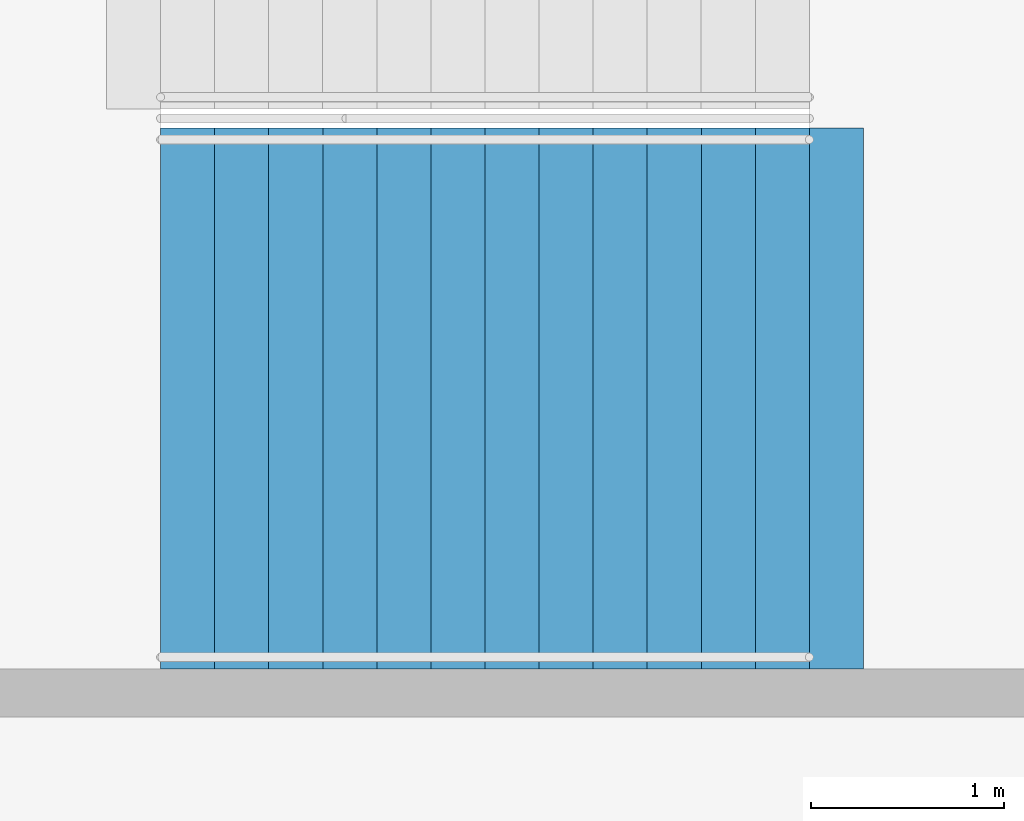
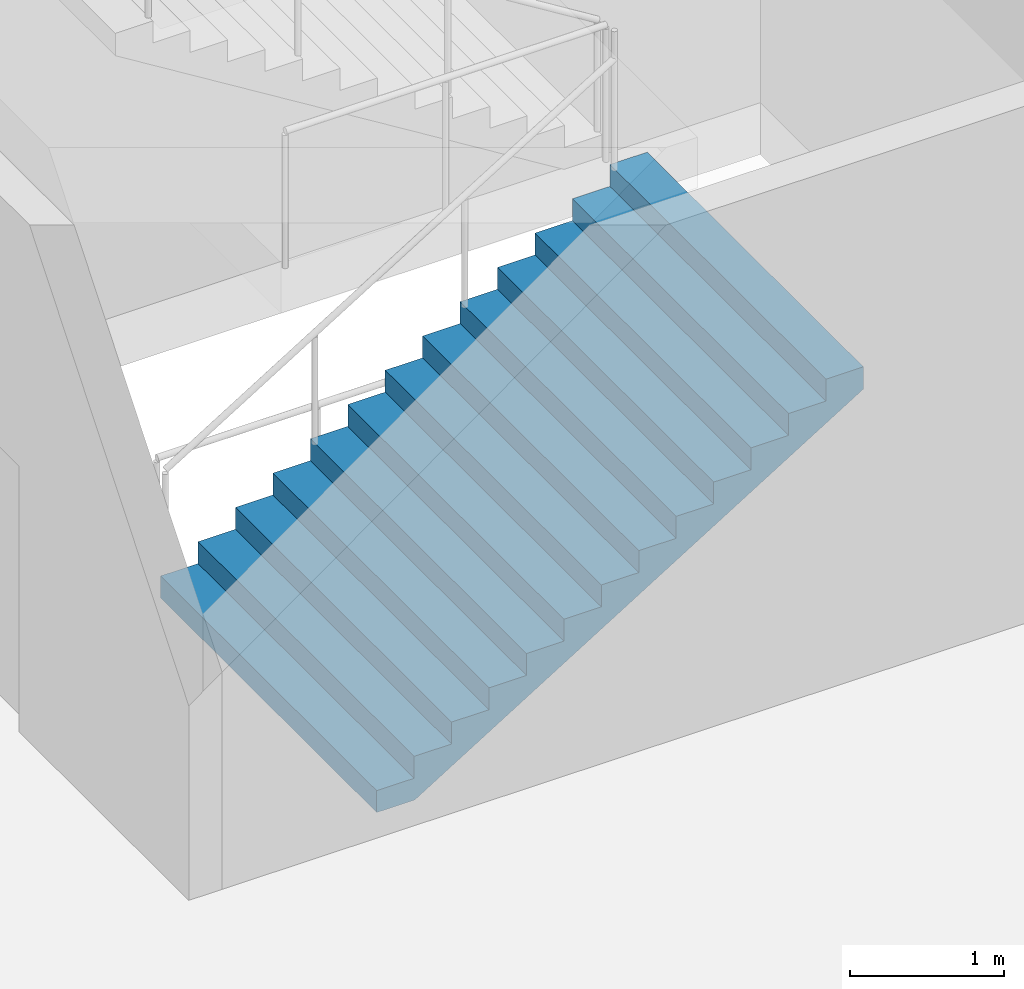
# One storey, part 138 of 199: 1 stair flight, 1 element without a shape of its own.
"""IFC4 building model written with IfcOpenShell, lengths in metres."""

import ifcopenshell
import ifcopenshell.guid

model = None  # the IFC model being written
_history = None  # IfcOwnerHistory: only IFC2X3 demands one
_inside = {}  # id of a spatial element -> (the spatial element, [elements in it])
_under = {}  # id of a project, library or spatial element -> (it, [spatial elements below it])
_declared = {}  # id of a project -> (the project, [libraries it declares])
_typed = {}  # id of a type object -> (the type object, [elements of that type])
_made_of = {}  # id of a material, layer set ... -> (it, [elements and type objects made of it])


def new_model(schema):
    """Start an empty IFC model of exactly this schema.

    Asked for "IFC4X3", IfcOpenShell would pick the latest addendum, in which some entities
    have other attributes; the version numbers below select the first issue.
    IFC2X3 requires an IfcOwnerHistory on every rooted entity: one is made here for all.
    """
    global model, _history
    if schema == "IFC4X3":
        model = ifcopenshell.file(schema_version=(4, 3, 0, 0))
    else:
        model = ifcopenshell.file(schema=schema)
    _inside.clear()
    _under.clear()
    _declared.clear()
    _typed.clear()
    _made_of.clear()
    _history = None
    if model.schema == "IFC2X3":
        org = make("IfcOrganization", Name="unknown")
        user = make(
            "IfcPersonAndOrganization",
            ThePerson=make("IfcPerson", FamilyName="unknown"),
            TheOrganization=org,
        )
        app = make(
            "IfcApplication",
            ApplicationDeveloper=org,
            Version="unknown",
            ApplicationFullName="unknown",
            ApplicationIdentifier="unknown",
        )
        _history = make(
            "IfcOwnerHistory",
            OwningUser=user,
            OwningApplication=app,
            ChangeAction="ADDED",
            CreationDate=0,
        )
    return model


def make(cls, **values):
    """One entity of the class cls with the attributes given. An attribute that is None is left unset."""
    return model.create_entity(
        cls, **{name: value for name, value in values.items() if value is not None}
    )


def rooted(cls, **values):
    """An entity with a GlobalId (a new one), such as an element, a storey or a relation."""
    return make(cls, GlobalId=ifcopenshell.guid.new(), OwnerHistory=_history, **values)


def si_unit(unit_type, name, prefix=None):
    """IfcSIUnit, for example si_unit("LENGTHUNIT", "METRE", prefix="MILLI")."""
    return make("IfcSIUnit", UnitType=unit_type, Prefix=prefix, Name=name)


def assignment(units):
    """IfcUnitAssignment: the units of a project."""
    return None if units is None else make("IfcUnitAssignment", Units=units)


def point(xyz):
    """IfcCartesianPoint."""
    return None if xyz is None else make("IfcCartesianPoint", Coordinates=xyz)


def direction(xyz):
    """IfcDirection."""
    return None if xyz is None else make("IfcDirection", DirectionRatios=xyz)


def frame(location, z_axis=None, x_axis=None):
    """IfcAxis2Placement3D, a coordinate frame: its origin and axes. An axis left out is left unset."""
    return make(
        "IfcAxis2Placement3D",
        Location=point(location),
        Axis=direction(z_axis),
        RefDirection=direction(x_axis),
    )


def origin():
    """The frame at (0, 0, 0) with its axes left unset."""
    return frame((0.0, 0.0, 0.0))


def place(relative_to, where):
    """IfcLocalPlacement: puts the frame where relative to a parent placement (None: the world)."""
    return make(
        "IfcLocalPlacement", PlacementRelTo=relative_to, RelativePlacement=where
    )


def context(
    kind, dimensions, precision=None, world=None, true_north=None, identifier=None
):
    """IfcGeometricRepresentationContext, for example the 3D "Model" context."""
    return make(
        "IfcGeometricRepresentationContext",
        ContextIdentifier=identifier,
        ContextType=kind,
        CoordinateSpaceDimension=dimensions,
        Precision=precision,
        WorldCoordinateSystem=world,
        TrueNorth=true_north,
    )


def subcontext(parent, identifier, kind, view, scale=None):
    """IfcGeometricRepresentationSubContext, for example "Body" below "Model"."""
    return make(
        "IfcGeometricRepresentationSubContext",
        ContextIdentifier=identifier,
        ContextType=kind,
        ParentContext=parent,
        TargetScale=scale,
        TargetView=view,
    )


def project(units=None, contexts=None):
    """IfcProject with its units and contexts."""
    return rooted(
        "IfcProject",
        Name="project",
        RepresentationContexts=contexts,
        UnitsInContext=assignment(units),
    )


def spatial(cls, under=None, at=None, **own):
    """A site, building, storey or space (cls), placed at a placement, below another one or the project."""
    s = rooted(cls, ObjectPlacement=at, **own)
    if under is not None:
        _under.setdefault(under.id(), (under, []))[1].append(s)
    return s


def faces_of(points, faces, orient=None, outer=None):
    """IfcFace entities. A face is a list of loops; a loop is a list of indices into points, from 0.

    orient and outer hold one flag for each loop. By default every Orientation is true, the
    first loop of a face is its IfcFaceOuterBound and the others are IfcFaceBound.
    """
    made = []
    for i, loops in enumerate(faces):
        bounds = []
        for j, loop in enumerate(loops):
            is_outer = j == 0 if outer is None else outer[i][j]
            bounds.append(
                make(
                    "IfcFaceOuterBound" if is_outer else "IfcFaceBound",
                    Bound=make("IfcPolyLoop", Polygon=[points[k] for k in loop]),
                    Orientation=True if orient is None else orient[i][j],
                )
            )
        made.append(make("IfcFace", Bounds=bounds))
    return made


def faceted_brep(points, faces, orient=None, outer=None, voids=None):
    """IfcFacetedBrep: a solid bounded by flat faces; with voids (closed shells), ...WithVoids."""
    shared = [point(p) for p in points]
    hull = make("IfcClosedShell", CfsFaces=faces_of(shared, faces, orient, outer))
    if voids is None:
        return make("IfcFacetedBrep", Outer=hull)
    return make(
        "IfcFacetedBrepWithVoids",
        Outer=hull,
        Voids=[
            make(cls, CfsFaces=faces_of(shared, fs, o, b)) for cls, fs, o, b in voids
        ],
    )


def shape(context_of_items, identifier, shape_type, items):
    """IfcShapeRepresentation: the items that make up one representation, for example the "Body"."""
    return make(
        "IfcShapeRepresentation",
        ContextOfItems=context_of_items,
        RepresentationIdentifier=identifier,
        RepresentationType=shape_type,
        Items=items,
    )


def material(Name=None, Category=None):
    """IfcMaterial."""
    return make("IfcMaterial", Name=Name, Category=Category)


def made_of(thing, what):
    """Note that an element or type object is made of a material, layer set ...; save() writes the relation."""
    if what is not None:
        _made_of.setdefault(what.id(), (what, []))[1].append(thing)
    return thing


def type_object(cls, material=None, **own):
    """A type object (cls), such as IfcWallType, which elements share."""
    return made_of(rooted(cls, **own), material)


def element(
    cls,
    number,
    at=None,
    inside=None,
    cuts=None,
    type_object=None,
    material=None,
    context=None,
    identifier="Body",
    shape_type=None,
    held_by="IfcProductDefinitionShape",
    body=None,
    shapes=None,
    **own,
):
    """One element of the class cls, such as IfcWall. Its Tag is "e" and its number.

    at: its placement. inside: the storey or other place that contains it. cuts: it is an
    opening in that element (IfcRelVoidsElement). A single representation is given by context,
    identifier, shape_type and body (its items); several are given by shapes. held_by: the class
    of the entity that holds the representations. save() writes the other relations.
    """
    e = rooted(cls, Tag="e%d" % number, ObjectPlacement=at, **own)
    if body is not None:
        shapes = [shape(context, identifier, shape_type, body)]
    if shapes is not None:
        e.Representation = make(held_by, Representations=shapes)
    if inside is not None:
        _inside.setdefault(inside.id(), (inside, []))[1].append(e)
    if cuts is not None:
        rooted(
            "IfcRelVoidsElement", RelatingBuildingElement=cuts, RelatedOpeningElement=e
        )
    if type_object is not None:
        _typed.setdefault(type_object.id(), (type_object, []))[1].append(e)
    return made_of(e, material)


def aggregate(whole, parts):
    """IfcRelAggregates: a whole, such as a stair, and the parts it consists of."""
    return rooted("IfcRelAggregates", RelatingObject=whole, RelatedObjects=parts)


def save(model, path):
    """Write the relations noted so far, then the file.

    IfcRelAggregates (storeys below a building ...), IfcRelContainedInSpatialStructure (elements
    in a storey), IfcRelDefinesByType, IfcRelAssociatesMaterial and IfcRelDeclares: one each for
    every whole, place, type object, material and project.
    """
    for whole, parts in _under.values():
        aggregate(whole, parts)
    for where, things in _inside.values():
        rooted(
            "IfcRelContainedInSpatialStructure",
            RelatedElements=things,
            RelatingStructure=where,
        )
    for kind, things in _typed.values():
        rooted("IfcRelDefinesByType", RelatedObjects=things, RelatingType=kind)
    for what, things in _made_of.values():
        rooted("IfcRelAssociatesMaterial", RelatedObjects=things, RelatingMaterial=what)
    for by, libraries in _declared.values():
        rooted("IfcRelDeclares", RelatingContext=by, RelatedDefinitions=libraries)
    model.write(path)


model = new_model("IFC4")

# Units and contexts
model_context = context("Model", 3, precision=1e-05, world=origin(), true_north=direction((0.0, 1.0)))
body_context = subcontext(model_context, "Body", "Model", "MODEL_VIEW")
ifc_project = project(units=[si_unit("LENGTHUNIT", "METRE"), si_unit("AREAUNIT", "SQUARE_METRE"), si_unit("VOLUMEUNIT", "CUBIC_METRE"), si_unit("PLANEANGLEUNIT", "RADIAN"), si_unit("MASSUNIT", "GRAM", prefix="KILO")], contexts=[model_context])

# Site, building, storey
site_placement = place(None, origin())
site = spatial("IfcSite", under=ifc_project, at=site_placement, CompositionType="ELEMENT")
building_placement = place(site_placement, origin())
building = spatial("IfcBuilding", under=site, at=building_placement, Name="Ogive Plaza Stadium", CompositionType="ELEMENT")
storey_placement = place(building_placement, frame((0.0, 0.0, 9.0)))
storey = spatial("IfcBuildingStorey", under=building, at=storey_placement, Name="L02", CompositionType="ELEMENT", Elevation=9.0)

# Stair, stair flight
ifc_material_1 = material(Name="Concrete C40/50", Category="concrete")
stair_type = type_object("IfcStairType", Name="Exit stair", PredefinedType="STRAIGHT_RUN_STAIR", material=ifc_material_1)
stair_placement = place(storey_placement, origin())
stair = element("IfcStair", 1, at=stair_placement, inside=storey, type_object=stair_type, Name="Exit stair ST08A L02 to L03", PredefinedType="STRAIGHT_RUN_STAIR")
ifc_material_2 = material(Name="Concrete C40/50", Category="concrete")
stair_flight_type = type_object("IfcStairFlightType", Name="Exit stair flight", PredefinedType="STRAIGHT", material=ifc_material_2)
stair_flight_placement = place(storey_placement, frame((76.35009765625, -56.925048828125, 0.0), z_axis=(0.0, 0.0, 1.0), x_axis=(1.0, 0.0, 0.0)))
stair_flight = element("IfcStairFlight", 2, at=stair_flight_placement, type_object=stair_flight_type, Name="ST08A flight 1", NumberOfRisers=13, NumberOfTreads=12, PredefinedType="STRAIGHT", RiserHeight=0.173076923, TreadLength=0.28, context=body_context, shape_type="Brep", body=[
    faceted_brep([(0.28515625, -1.39990234375, 0.0), (3.639892578125, -1.39990234375, 2.07373046875), (3.639892578125, -1.39990234375, 2.25), (3.360107421875, -1.39990234375, 2.25), (3.360107421875, -1.39990234375, 2.076904296875), (3.080078125, -1.39990234375, 2.076904296875), (3.080078125, -1.39990234375, 1.90380859375), (2.800048828125, -1.39990234375, 1.90380859375), (2.800048828125, -1.39990234375, 1.730712890625), (2.52001953125, -1.39990234375, 1.730712890625), (2.52001953125, -1.39990234375, 1.5576171875), (2.239990234375, -1.39990234375, 1.5576171875), (2.239990234375, -1.39990234375, 1.384521484375), (1.9599609375, -1.39990234375, 1.384521484375), (1.9599609375, -1.39990234375, 1.21142578125), (1.679931640625, -1.39990234375, 1.21142578125), (1.679931640625, -1.39990234375, 1.03857421875), (1.39990234375, -1.39990234375, 1.03857421875), (1.39990234375, -1.39990234375, 0.865478515625), (1.1201171875, -1.39990234375, 0.865478515625), (1.1201171875, -1.39990234375, 0.6923828125), (0.840087890625, -1.39990234375, 0.6923828125), (0.840087890625, -1.39990234375, 0.519287109375), (0.56005859375, -1.39990234375, 0.519287109375), (0.56005859375, -1.39990234375, 0.34619140625), (0.280029296875, -1.39990234375, 0.34619140625), (0.280029296875, -1.39990234375, 0.173095703125), (0.0, -1.39990234375, 0.173095703125), (0.0, -1.39990234375, 0.0), (0.0, 1.39990234375, 0.0), (0.0, 1.39990234375, 0.173095703125), (0.280029296875, 1.39990234375, 0.173095703125), (0.280029296875, 1.39990234375, 0.34619140625), (0.56005859375, 1.39990234375, 0.34619140625), (0.56005859375, 1.39990234375, 0.519287109375), (0.840087890625, 1.39990234375, 0.519287109375), (0.840087890625, 1.39990234375, 0.6923828125), (1.1201171875, 1.39990234375, 0.6923828125), (1.1201171875, 1.39990234375, 0.865478515625), (1.39990234375, 1.39990234375, 0.865478515625), (1.39990234375, 1.39990234375, 1.03857421875), (1.679931640625, 1.39990234375, 1.03857421875), (1.679931640625, 1.39990234375, 1.21142578125), (1.9599609375, 1.39990234375, 1.21142578125), (1.9599609375, 1.39990234375, 1.384521484375), (2.239990234375, 1.39990234375, 1.384521484375), (2.239990234375, 1.39990234375, 1.5576171875), (2.52001953125, 1.39990234375, 1.5576171875), (2.52001953125, 1.39990234375, 1.730712890625), (2.800048828125, 1.39990234375, 1.730712890625), (2.800048828125, 1.39990234375, 1.90380859375), (3.080078125, 1.39990234375, 1.90380859375), (3.080078125, 1.39990234375, 2.076904296875), (3.360107421875, 1.39990234375, 2.076904296875), (3.360107421875, 1.39990234375, 2.25), (3.639892578125, 1.39990234375, 2.25), (3.639892578125, 1.39990234375, 2.07373046875), (0.28515625, 1.39990234375, 0.0), (0.28515625, -1.0888671875, 0.0), (3.639892578125, -1.0888671875, 2.07373046875), (0.28515625, -0.77783203125, 0.0), (3.639892578125, -0.77783203125, 2.07373046875), (0.28515625, -0.466796875, 0.0), (3.639892578125, -0.466796875, 2.07373046875), (0.28515625, -0.155517578125, 0.0), (3.639892578125, -0.155517578125, 2.07373046875), (0.28515625, 0.155517578125, 0.0), (3.639892578125, 0.155517578125, 2.07373046875), (0.28515625, 0.466796875, 0.0), (3.639892578125, 0.466796875, 2.07373046875), (0.28515625, 0.77783203125, 0.0), (3.639892578125, 0.77783203125, 2.07373046875), (0.28515625, 1.0888671875, 0.0), (3.639892578125, 1.0888671875, 2.07373046875), (3.639892578125, -1.0888671875, 2.25), (3.639892578125, -0.77783203125, 2.25), (3.639892578125, -0.466796875, 2.25), (3.639892578125, -0.155517578125, 2.25), (3.639892578125, 0.155517578125, 2.25), (3.639892578125, 0.466796875, 2.25), (3.639892578125, 0.77783203125, 2.25), (3.639892578125, 1.0888671875, 2.25), (3.360107421875, -1.0888671875, 2.25), (3.360107421875, -0.77783203125, 2.25), (3.360107421875, -0.466796875, 2.25), (3.360107421875, -0.155517578125, 2.25), (3.360107421875, 0.155517578125, 2.25), (3.360107421875, 0.466796875, 2.25), (3.360107421875, 0.77783203125, 2.25), (3.360107421875, 1.0888671875, 2.25), (3.360107421875, -1.0888671875, 2.076904296875), (3.360107421875, -0.77783203125, 2.076904296875), (3.360107421875, -0.466796875, 2.076904296875), (3.360107421875, -0.155517578125, 2.076904296875), (3.360107421875, 0.155517578125, 2.076904296875), (3.360107421875, 0.466796875, 2.076904296875), (3.360107421875, 0.77783203125, 2.076904296875), (3.360107421875, 1.0888671875, 2.076904296875), (3.080078125, -1.0888671875, 2.076904296875), (3.080078125, -0.77783203125, 2.076904296875), (3.080078125, -0.466796875, 2.076904296875), (3.080078125, -0.155517578125, 2.076904296875), (3.080078125, 0.155517578125, 2.076904296875), (3.080078125, 0.466796875, 2.076904296875), (3.080078125, 0.77783203125, 2.076904296875), (3.080078125, 1.0888671875, 2.076904296875), (3.080078125, -1.0888671875, 1.90380859375), (3.080078125, -0.77783203125, 1.90380859375), (3.080078125, -0.466796875, 1.90380859375), (3.080078125, -0.155517578125, 1.90380859375), (3.080078125, 0.155517578125, 1.90380859375), (3.080078125, 0.466796875, 1.90380859375), (3.080078125, 0.77783203125, 1.90380859375), (3.080078125, 1.0888671875, 1.90380859375), (2.800048828125, -1.0888671875, 1.90380859375), (2.800048828125, -0.77783203125, 1.90380859375), (2.800048828125, -0.466796875, 1.90380859375), (2.800048828125, -0.155517578125, 1.90380859375), (2.800048828125, 0.155517578125, 1.90380859375), (2.800048828125, 0.466796875, 1.90380859375), (2.800048828125, 0.77783203125, 1.90380859375), (2.800048828125, 1.0888671875, 1.90380859375), (2.800048828125, -1.0888671875, 1.730712890625), (2.800048828125, -0.77783203125, 1.730712890625), (2.800048828125, -0.466796875, 1.730712890625), (2.800048828125, -0.155517578125, 1.730712890625), (2.800048828125, 0.155517578125, 1.730712890625), (2.800048828125, 0.466796875, 1.730712890625), (2.800048828125, 0.77783203125, 1.730712890625), (2.800048828125, 1.0888671875, 1.730712890625), (2.52001953125, -1.0888671875, 1.730712890625), (2.52001953125, -0.77783203125, 1.730712890625), (2.52001953125, -0.466796875, 1.730712890625), (2.52001953125, -0.155517578125, 1.730712890625), (2.52001953125, 0.155517578125, 1.730712890625), (2.52001953125, 0.466796875, 1.730712890625), (2.52001953125, 0.77783203125, 1.730712890625), (2.52001953125, 1.0888671875, 1.730712890625), (2.52001953125, -1.0888671875, 1.5576171875), (2.52001953125, -0.77783203125, 1.5576171875), (2.52001953125, -0.466796875, 1.5576171875), (2.52001953125, -0.155517578125, 1.5576171875), (2.52001953125, 0.155517578125, 1.5576171875), (2.52001953125, 0.466796875, 1.5576171875), (2.52001953125, 0.77783203125, 1.5576171875), (2.52001953125, 1.0888671875, 1.5576171875), (2.239990234375, -1.0888671875, 1.5576171875), (2.239990234375, -0.77783203125, 1.5576171875), (2.239990234375, -0.466796875, 1.5576171875), (2.239990234375, -0.155517578125, 1.5576171875), (2.239990234375, 0.155517578125, 1.5576171875), (2.239990234375, 0.466796875, 1.5576171875), (2.239990234375, 0.77783203125, 1.5576171875), (2.239990234375, 1.0888671875, 1.5576171875), (2.239990234375, -1.0888671875, 1.384521484375), (2.239990234375, -0.77783203125, 1.384521484375), (2.239990234375, -0.466796875, 1.384521484375), (2.239990234375, -0.155517578125, 1.384521484375), (2.239990234375, 0.155517578125, 1.384521484375), (2.239990234375, 0.466796875, 1.384521484375), (2.239990234375, 0.77783203125, 1.384521484375), (2.239990234375, 1.0888671875, 1.384521484375), (1.9599609375, -1.0888671875, 1.384521484375), (1.9599609375, -0.77783203125, 1.384521484375), (1.9599609375, -0.466796875, 1.384521484375), (1.9599609375, -0.155517578125, 1.384521484375), (1.9599609375, 0.155517578125, 1.384521484375), (1.9599609375, 0.466796875, 1.384521484375), (1.9599609375, 0.77783203125, 1.384521484375), (1.9599609375, 1.0888671875, 1.384521484375), (1.9599609375, -1.0888671875, 1.21142578125), (1.9599609375, -0.77783203125, 1.21142578125), (1.9599609375, -0.466796875, 1.21142578125), (1.9599609375, -0.155517578125, 1.21142578125), (1.9599609375, 0.155517578125, 1.21142578125), (1.9599609375, 0.466796875, 1.21142578125), (1.9599609375, 0.77783203125, 1.21142578125), (1.9599609375, 1.0888671875, 1.21142578125), (1.679931640625, -1.0888671875, 1.21142578125), (1.679931640625, -0.77783203125, 1.21142578125), (1.679931640625, -0.466796875, 1.21142578125), (1.679931640625, -0.155517578125, 1.21142578125), (1.679931640625, 0.155517578125, 1.21142578125), (1.679931640625, 0.466796875, 1.21142578125), (1.679931640625, 0.77783203125, 1.21142578125), (1.679931640625, 1.0888671875, 1.21142578125), (1.679931640625, -1.0888671875, 1.03857421875), (1.679931640625, -0.77783203125, 1.03857421875), (1.679931640625, -0.466796875, 1.03857421875), (1.679931640625, -0.155517578125, 1.03857421875), (1.679931640625, 0.155517578125, 1.03857421875), (1.679931640625, 0.466796875, 1.03857421875), (1.679931640625, 0.77783203125, 1.03857421875), (1.679931640625, 1.0888671875, 1.03857421875), (1.39990234375, -1.0888671875, 1.03857421875), (1.39990234375, -0.77783203125, 1.03857421875), (1.39990234375, -0.466796875, 1.03857421875), (1.39990234375, -0.155517578125, 1.03857421875), (1.39990234375, 0.155517578125, 1.03857421875), (1.39990234375, 0.466796875, 1.03857421875), (1.39990234375, 0.77783203125, 1.03857421875), (1.39990234375, 1.0888671875, 1.03857421875), (1.39990234375, -1.0888671875, 0.865478515625), (1.39990234375, -0.77783203125, 0.865478515625), (1.39990234375, -0.466796875, 0.865478515625), (1.39990234375, -0.155517578125, 0.865478515625), (1.39990234375, 0.155517578125, 0.865478515625), (1.39990234375, 0.466796875, 0.865478515625), (1.39990234375, 0.77783203125, 0.865478515625), (1.39990234375, 1.0888671875, 0.865478515625), (1.1201171875, -1.0888671875, 0.865478515625), (1.1201171875, -0.77783203125, 0.865478515625), (1.1201171875, -0.466796875, 0.865478515625), (1.1201171875, -0.155517578125, 0.865478515625), (1.1201171875, 0.155517578125, 0.865478515625), (1.1201171875, 0.466796875, 0.865478515625), (1.1201171875, 0.77783203125, 0.865478515625), (1.1201171875, 1.0888671875, 0.865478515625), (1.1201171875, -1.0888671875, 0.6923828125), (1.1201171875, -0.77783203125, 0.6923828125), (1.1201171875, -0.466796875, 0.6923828125), (1.1201171875, -0.155517578125, 0.6923828125), (1.1201171875, 0.155517578125, 0.6923828125), (1.1201171875, 0.466796875, 0.6923828125), (1.1201171875, 0.77783203125, 0.6923828125), (1.1201171875, 1.0888671875, 0.6923828125), (0.840087890625, -1.0888671875, 0.6923828125), (0.840087890625, -0.77783203125, 0.6923828125), (0.840087890625, -0.466796875, 0.6923828125), (0.840087890625, -0.155517578125, 0.6923828125), (0.840087890625, 0.155517578125, 0.6923828125), (0.840087890625, 0.466796875, 0.6923828125), (0.840087890625, 0.77783203125, 0.6923828125), (0.840087890625, 1.0888671875, 0.6923828125), (0.840087890625, -1.0888671875, 0.519287109375), (0.840087890625, -0.77783203125, 0.519287109375), (0.840087890625, -0.466796875, 0.519287109375), (0.840087890625, -0.155517578125, 0.519287109375), (0.840087890625, 0.155517578125, 0.519287109375), (0.840087890625, 0.466796875, 0.519287109375), (0.840087890625, 0.77783203125, 0.519287109375), (0.840087890625, 1.0888671875, 0.519287109375), (0.56005859375, -1.0888671875, 0.519287109375), (0.56005859375, -0.77783203125, 0.519287109375), (0.56005859375, -0.466796875, 0.519287109375), (0.56005859375, -0.155517578125, 0.519287109375), (0.56005859375, 0.155517578125, 0.519287109375), (0.56005859375, 0.466796875, 0.519287109375), (0.56005859375, 0.77783203125, 0.519287109375), (0.56005859375, 1.0888671875, 0.519287109375), (0.56005859375, -1.0888671875, 0.34619140625), (0.56005859375, -0.77783203125, 0.34619140625), (0.56005859375, -0.466796875, 0.34619140625), (0.56005859375, -0.155517578125, 0.34619140625), (0.56005859375, 0.155517578125, 0.34619140625), (0.56005859375, 0.466796875, 0.34619140625), (0.56005859375, 0.77783203125, 0.34619140625), (0.56005859375, 1.0888671875, 0.34619140625), (0.280029296875, -1.0888671875, 0.34619140625), (0.280029296875, -0.77783203125, 0.34619140625), (0.280029296875, -0.466796875, 0.34619140625), (0.280029296875, -0.155517578125, 0.34619140625), (0.280029296875, 0.155517578125, 0.34619140625), (0.280029296875, 0.466796875, 0.34619140625), (0.280029296875, 0.77783203125, 0.34619140625), (0.280029296875, 1.0888671875, 0.34619140625), (0.280029296875, -1.0888671875, 0.173095703125), (0.280029296875, -0.77783203125, 0.173095703125), (0.280029296875, -0.466796875, 0.173095703125), (0.280029296875, -0.155517578125, 0.173095703125), (0.280029296875, 0.155517578125, 0.173095703125), (0.280029296875, 0.466796875, 0.173095703125), (0.280029296875, 0.77783203125, 0.173095703125), (0.280029296875, 1.0888671875, 0.173095703125), (0.0, -1.0888671875, 0.173095703125), (0.0, -0.77783203125, 0.173095703125), (0.0, -0.466796875, 0.173095703125), (0.0, -0.155517578125, 0.173095703125), (0.0, 0.155517578125, 0.173095703125), (0.0, 0.466796875, 0.173095703125), (0.0, 0.77783203125, 0.173095703125), (0.0, 1.0888671875, 0.173095703125), (0.0, -1.0888671875, 0.0), (0.0, -0.77783203125, 0.0), (0.0, -0.466796875, 0.0), (0.0, -0.155517578125, 0.0), (0.0, 0.155517578125, 0.0), (0.0, 0.466796875, 0.0), (0.0, 0.77783203125, 0.0), (0.0, 1.0888671875, 0.0)], [[[0, 1, 2, 3, 4, 5, 6, 7, 8, 9, 10, 11, 12, 13, 14, 15, 16, 17, 18, 19, 20, 21, 22, 23, 24, 25, 26, 27, 28]], [[29, 30, 31, 32, 33, 34, 35, 36, 37, 38, 39, 40, 41, 42, 43, 44, 45, 46, 47, 48, 49, 50, 51, 52, 53, 54, 55, 56, 57]], [[0, 58, 59, 1]], [[58, 60, 61, 59]], [[60, 62, 63, 61]], [[62, 64, 65, 63]], [[64, 66, 67, 65]], [[66, 68, 69, 67]], [[68, 70, 71, 69]], [[70, 72, 73, 71]], [[72, 57, 56, 73]], [[1, 59, 74, 2]], [[59, 61, 75, 74]], [[61, 63, 76, 75]], [[63, 65, 77, 76]], [[65, 67, 78, 77]], [[67, 69, 79, 78]], [[69, 71, 80, 79]], [[71, 73, 81, 80]], [[73, 56, 55, 81]], [[2, 74, 82, 3]], [[74, 75, 83, 82]], [[75, 76, 84, 83]], [[76, 77, 85, 84]], [[77, 78, 86, 85]], [[78, 79, 87, 86]], [[79, 80, 88, 87]], [[80, 81, 89, 88]], [[81, 55, 54, 89]], [[3, 82, 90, 4]], [[82, 83, 91, 90]], [[83, 84, 92, 91]], [[84, 85, 93, 92]], [[85, 86, 94, 93]], [[86, 87, 95, 94]], [[87, 88, 96, 95]], [[88, 89, 97, 96]], [[89, 54, 53, 97]], [[4, 90, 98, 5]], [[90, 91, 99, 98]], [[91, 92, 100, 99]], [[92, 93, 101, 100]], [[93, 94, 102, 101]], [[94, 95, 103, 102]], [[95, 96, 104, 103]], [[96, 97, 105, 104]], [[97, 53, 52, 105]], [[5, 98, 106, 6]], [[98, 99, 107, 106]], [[99, 100, 108, 107]], [[100, 101, 109, 108]], [[101, 102, 110, 109]], [[102, 103, 111, 110]], [[103, 104, 112, 111]], [[104, 105, 113, 112]], [[105, 52, 51, 113]], [[6, 106, 114, 7]], [[106, 107, 115, 114]], [[107, 108, 116, 115]], [[108, 109, 117, 116]], [[109, 110, 118, 117]], [[110, 111, 119, 118]], [[111, 112, 120, 119]], [[112, 113, 121, 120]], [[113, 51, 50, 121]], [[7, 114, 122, 8]], [[114, 115, 123, 122]], [[115, 116, 124, 123]], [[116, 117, 125, 124]], [[117, 118, 126, 125]], [[118, 119, 127, 126]], [[119, 120, 128, 127]], [[120, 121, 129, 128]], [[121, 50, 49, 129]], [[8, 122, 130, 9]], [[122, 123, 131, 130]], [[123, 124, 132, 131]], [[124, 125, 133, 132]], [[125, 126, 134, 133]], [[126, 127, 135, 134]], [[127, 128, 136, 135]], [[128, 129, 137, 136]], [[129, 49, 48, 137]], [[9, 130, 138, 10]], [[130, 131, 139, 138]], [[131, 132, 140, 139]], [[132, 133, 141, 140]], [[133, 134, 142, 141]], [[134, 135, 143, 142]], [[135, 136, 144, 143]], [[136, 137, 145, 144]], [[137, 48, 47, 145]], [[10, 138, 146, 11]], [[138, 139, 147, 146]], [[139, 140, 148, 147]], [[140, 141, 149, 148]], [[141, 142, 150, 149]], [[142, 143, 151, 150]], [[143, 144, 152, 151]], [[144, 145, 153, 152]], [[145, 47, 46, 153]], [[11, 146, 154, 12]], [[146, 147, 155, 154]], [[147, 148, 156, 155]], [[148, 149, 157, 156]], [[149, 150, 158, 157]], [[150, 151, 159, 158]], [[151, 152, 160, 159]], [[152, 153, 161, 160]], [[153, 46, 45, 161]], [[12, 154, 162, 13]], [[154, 155, 163, 162]], [[155, 156, 164, 163]], [[156, 157, 165, 164]], [[157, 158, 166, 165]], [[158, 159, 167, 166]], [[159, 160, 168, 167]], [[160, 161, 169, 168]], [[161, 45, 44, 169]], [[13, 162, 170, 14]], [[162, 163, 171, 170]], [[163, 164, 172, 171]], [[164, 165, 173, 172]], [[165, 166, 174, 173]], [[166, 167, 175, 174]], [[167, 168, 176, 175]], [[168, 169, 177, 176]], [[169, 44, 43, 177]], [[14, 170, 178, 15]], [[170, 171, 179, 178]], [[171, 172, 180, 179]], [[172, 173, 181, 180]], [[173, 174, 182, 181]], [[174, 175, 183, 182]], [[175, 176, 184, 183]], [[176, 177, 185, 184]], [[177, 43, 42, 185]], [[15, 178, 186, 16]], [[178, 179, 187, 186]], [[179, 180, 188, 187]], [[180, 181, 189, 188]], [[181, 182, 190, 189]], [[182, 183, 191, 190]], [[183, 184, 192, 191]], [[184, 185, 193, 192]], [[185, 42, 41, 193]], [[16, 186, 194, 17]], [[186, 187, 195, 194]], [[187, 188, 196, 195]], [[188, 189, 197, 196]], [[189, 190, 198, 197]], [[190, 191, 199, 198]], [[191, 192, 200, 199]], [[192, 193, 201, 200]], [[193, 41, 40, 201]], [[17, 194, 202, 18]], [[194, 195, 203, 202]], [[195, 196, 204, 203]], [[196, 197, 205, 204]], [[197, 198, 206, 205]], [[198, 199, 207, 206]], [[199, 200, 208, 207]], [[200, 201, 209, 208]], [[201, 40, 39, 209]], [[18, 202, 210, 19]], [[202, 203, 211, 210]], [[203, 204, 212, 211]], [[204, 205, 213, 212]], [[205, 206, 214, 213]], [[206, 207, 215, 214]], [[207, 208, 216, 215]], [[208, 209, 217, 216]], [[209, 39, 38, 217]], [[19, 210, 218, 20]], [[210, 211, 219, 218]], [[211, 212, 220, 219]], [[212, 213, 221, 220]], [[213, 214, 222, 221]], [[214, 215, 223, 222]], [[215, 216, 224, 223]], [[216, 217, 225, 224]], [[217, 38, 37, 225]], [[20, 218, 226, 21]], [[218, 219, 227, 226]], [[219, 220, 228, 227]], [[220, 221, 229, 228]], [[221, 222, 230, 229]], [[222, 223, 231, 230]], [[223, 224, 232, 231]], [[224, 225, 233, 232]], [[225, 37, 36, 233]], [[21, 226, 234, 22]], [[226, 227, 235, 234]], [[227, 228, 236, 235]], [[228, 229, 237, 236]], [[229, 230, 238, 237]], [[230, 231, 239, 238]], [[231, 232, 240, 239]], [[232, 233, 241, 240]], [[233, 36, 35, 241]], [[22, 234, 242, 23]], [[234, 235, 243, 242]], [[235, 236, 244, 243]], [[236, 237, 245, 244]], [[237, 238, 246, 245]], [[238, 239, 247, 246]], [[239, 240, 248, 247]], [[240, 241, 249, 248]], [[241, 35, 34, 249]], [[23, 242, 250, 24]], [[242, 243, 251, 250]], [[243, 244, 252, 251]], [[244, 245, 253, 252]], [[245, 246, 254, 253]], [[246, 247, 255, 254]], [[247, 248, 256, 255]], [[248, 249, 257, 256]], [[249, 34, 33, 257]], [[24, 250, 258, 25]], [[250, 251, 259, 258]], [[251, 252, 260, 259]], [[252, 253, 261, 260]], [[253, 254, 262, 261]], [[254, 255, 263, 262]], [[255, 256, 264, 263]], [[256, 257, 265, 264]], [[257, 33, 32, 265]], [[25, 258, 266, 26]], [[258, 259, 267, 266]], [[259, 260, 268, 267]], [[260, 261, 269, 268]], [[261, 262, 270, 269]], [[262, 263, 271, 270]], [[263, 264, 272, 271]], [[264, 265, 273, 272]], [[265, 32, 31, 273]], [[26, 266, 274, 27]], [[266, 267, 275, 274]], [[267, 268, 276, 275]], [[268, 269, 277, 276]], [[269, 270, 278, 277]], [[270, 271, 279, 278]], [[271, 272, 280, 279]], [[272, 273, 281, 280]], [[273, 31, 30, 281]], [[27, 274, 282, 28]], [[274, 275, 283, 282]], [[275, 276, 284, 283]], [[276, 277, 285, 284]], [[277, 278, 286, 285]], [[278, 279, 287, 286]], [[279, 280, 288, 287]], [[280, 281, 289, 288]], [[281, 30, 29, 289]], [[28, 282, 58, 0]], [[282, 283, 60, 58]], [[283, 284, 62, 60]], [[284, 285, 64, 62]], [[285, 286, 66, 64]], [[286, 287, 68, 66]], [[287, 288, 70, 68]], [[288, 289, 72, 70]], [[289, 29, 57, 72]]]),
])
aggregate(stair, [stair_flight])

save(model, "model.ifc")
